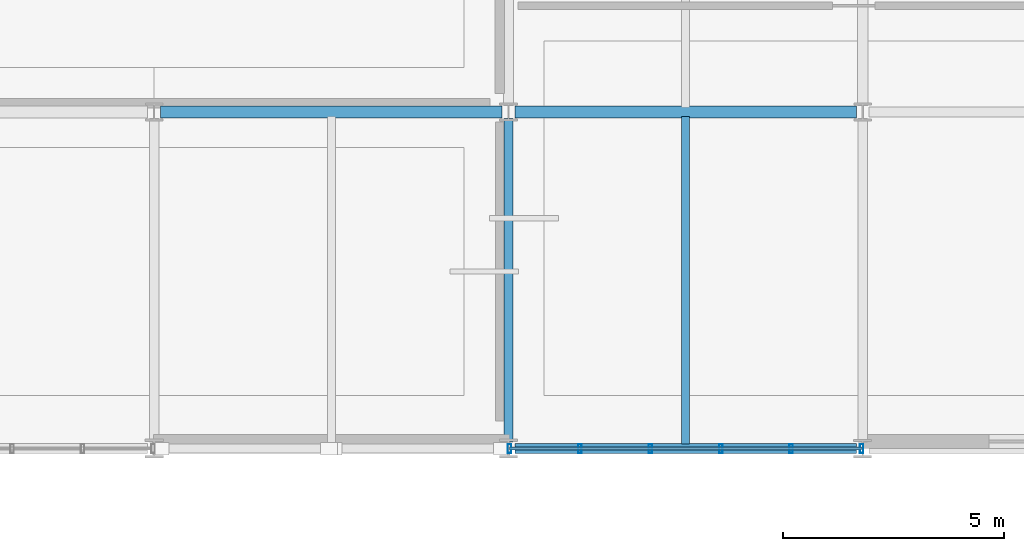
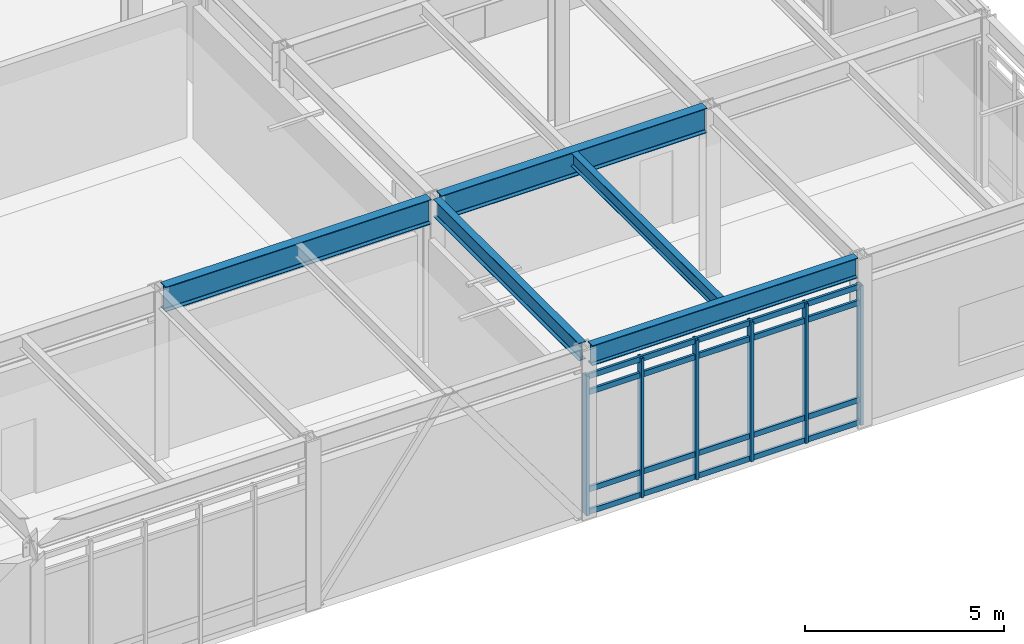
# One storey, part 53 of 94: 10 members, 5 beams, 1 element without a shape of its own.
"""IFC4 building model written with IfcOpenShell, lengths in metres."""

from ifc_helpers import new_model, si_unit, direction, frame, origin, origin_2d, place, context, subcontext, project, spatial, hollow_rectangle, i_section, extrude, material, material_profile, profile_set, type_object, element, aggregate, save


model = new_model("IFC4")

# Units and contexts
model_context = context("Model", 3, precision=1e-05, world=origin(), true_north=direction((0.0, 1.0)))
body_context = subcontext(model_context, "Body", "Model", "MODEL_VIEW")
ifc_project = project(units=[si_unit("LENGTHUNIT", "METRE"), si_unit("AREAUNIT", "SQUARE_METRE"), si_unit("VOLUMEUNIT", "CUBIC_METRE"), si_unit("PLANEANGLEUNIT", "RADIAN"), si_unit("MASSUNIT", "GRAM", prefix="KILO")], contexts=[model_context])

# Site, building, storey
site_placement = place(None, origin())
site = spatial("IfcSite", under=ifc_project, at=site_placement, CompositionType="ELEMENT")
building_placement = place(site_placement, origin())
building = spatial("IfcBuilding", under=site, at=building_placement, Name="Zulena Civic Courthouse", CompositionType="ELEMENT")
storey_placement = place(building_placement, frame((0.0, 0.0, 5.39990234375)))
storey = spatial("IfcBuildingStorey", under=building, at=storey_placement, Name="L01", CompositionType="ELEMENT", Elevation=5.39990234375)

# Curtain wall, members
ifc_material_1 = material(Name="Double-silver low-E laminated solar-control glass", Category="glass")
curtain_wall_type = type_object("IfcCurtainWallType", Name="CW_7952x4280", PredefinedType="USERDEFINED", material=ifc_material_1)
curtain_wall_placement = place(storey_placement, origin())
curtain_wall = element("IfcCurtainWall", 1, at=curtain_wall_placement, inside=storey, type_object=curtain_wall_type, Name="cw:V1:L01:3:1", ObjectType="UNITISED CURTAIN WALL", PredefinedType="USERDEFINED")
ifc_material_2 = material(Name="Bronze anodised thermally broken aluminium AA6063-T6", Category="aluminium")
ifc_material_profile_1 = material_profile(ifc_material_2, hollow_rectangle(XDim=0.080078125, YDim=0.199951171875, WallThickness=0.0048828125, at=origin_2d()), Name="CWM200X80X5")
ifc_profile_set_1 = profile_set([ifc_material_profile_1], Name="Bronze anodised thermally broken aluminium AA6063-T6")
member_type_1 = type_object("IfcMemberType", Name="CWMullion_200x80", PredefinedType="MULLION", material=ifc_profile_set_1)
member_1_placement = place(storey_placement, frame((163.97607421875, 0.0, 0.0), z_axis=(0.0, 0.0, 1.0), x_axis=(1.0, 0.0, 0.0)))
member_1 = element("IfcMember", 2, at=member_1_placement, type_object=member_type_1, Name="cw:V1:L01:3:1:mull:0", PredefinedType="MULLION", context=body_context, shape_type="SweptSolid", body=[
    extrude(hollow_rectangle(XDim=0.080078125, YDim=0.199951171875, WallThickness=0.0048828125, at=origin_2d()), origin(), (0.0, 0.0, 1.0), 4.280029296875),
])
member_2_placement = place(storey_placement, frame((162.385498046875, 0.0, 0.0), z_axis=(0.0, 0.0, 1.0), x_axis=(1.0, 0.0, 0.0)))
member_2 = element("IfcMember", 3, at=member_2_placement, type_object=member_type_1, Name="cw:V1:L01:3:1:mull:1", PredefinedType="MULLION", context=body_context, shape_type="SweptSolid", body=[
    extrude(hollow_rectangle(XDim=0.080078125, YDim=0.199951171875, WallThickness=0.0048828125, at=origin_2d()), origin(), (0.0, 0.0, 1.0), 4.280029296875),
])
member_3_placement = place(storey_placement, frame((160.795166015625, 0.0, 0.0), z_axis=(0.0, 0.0, 1.0), x_axis=(1.0, 0.0, 0.0)))
member_3 = element("IfcMember", 4, at=member_3_placement, type_object=member_type_1, Name="cw:V1:L01:3:1:mull:2", PredefinedType="MULLION", context=body_context, shape_type="SweptSolid", body=[
    extrude(hollow_rectangle(XDim=0.080078125, YDim=0.199951171875, WallThickness=0.0048828125, at=origin_2d()), origin(), (0.0, 0.0, 1.0), 4.280029296875),
])
member_4_placement = place(storey_placement, frame((159.204833984375, 0.0, 0.0), z_axis=(0.0, 0.0, 1.0), x_axis=(1.0, 0.0, 0.0)))
member_4 = element("IfcMember", 5, at=member_4_placement, type_object=member_type_1, Name="cw:V1:L01:3:1:mull:3", PredefinedType="MULLION", context=body_context, shape_type="SweptSolid", body=[
    extrude(hollow_rectangle(XDim=0.080078125, YDim=0.199951171875, WallThickness=0.0048828125, at=origin_2d()), origin(), (0.0, 0.0, 1.0), 4.280029296875),
])
member_5_placement = place(storey_placement, frame((157.614501953125, 0.0, 0.0), z_axis=(0.0, 0.0, 1.0), x_axis=(1.0, 0.0, 0.0)))
member_5 = element("IfcMember", 6, at=member_5_placement, type_object=member_type_1, Name="cw:V1:L01:3:1:mull:4", PredefinedType="MULLION", context=body_context, shape_type="SweptSolid", body=[
    extrude(hollow_rectangle(XDim=0.080078125, YDim=0.199951171875, WallThickness=0.0048828125, at=origin_2d()), origin(), (0.0, 0.0, 1.0), 4.280029296875),
])
member_6_placement = place(storey_placement, frame((156.02392578125, 0.0, 0.0), z_axis=(0.0, 0.0, 1.0), x_axis=(1.0, 0.0, 0.0)))
member_6 = element("IfcMember", 7, at=member_6_placement, type_object=member_type_1, Name="cw:V1:L01:3:1:mull:5", PredefinedType="MULLION", context=body_context, shape_type="SweptSolid", body=[
    extrude(hollow_rectangle(XDim=0.080078125, YDim=0.199951171875, WallThickness=0.0048828125, at=origin_2d()), origin(), (0.0, 0.0, 1.0), 4.280029296875),
])
ifc_material_profile_2 = material_profile(ifc_material_2, hollow_rectangle(XDim=0.070068359375, YDim=0.1650390625, WallThickness=0.00390625, at=origin_2d()), Name="CWT165X70X4")
ifc_profile_set_2 = profile_set([ifc_material_profile_2], Name="Bronze anodised thermally broken aluminium AA6063-T6")
member_type_2 = type_object("IfcMemberType", Name="CWTransom_165x70", PredefinedType="USERDEFINED", material=ifc_profile_set_2)
member_7_placement = place(storey_placement, frame((163.97607421875, 0.0, 0.06005859375), z_axis=(-1.0, 0.0, 0.0), x_axis=(0.0, -1.0, 0.0)))
member_7 = element("IfcMember", 8, at=member_7_placement, type_object=member_type_2, Name="cw:V1:L01:3:1:tran:0", ObjectType="TRANSOM", PredefinedType="USERDEFINED", context=body_context, shape_type="SweptSolid", body=[
    extrude(hollow_rectangle(XDim=0.070068359375, YDim=0.1650390625, WallThickness=0.00390625, at=origin_2d()), origin(), (0.0, 0.0, 1.0), 7.9521484375),
])
member_8_placement = place(storey_placement, frame((163.97607421875, 0.0, 0.75), z_axis=(-1.0, 0.0, 0.0), x_axis=(0.0, -1.0, 0.0)))
member_8 = element("IfcMember", 9, at=member_8_placement, type_object=member_type_2, Name="cw:V1:L01:3:1:tran:1", ObjectType="TRANSOM", PredefinedType="USERDEFINED", context=body_context, shape_type="SweptSolid", body=[
    extrude(hollow_rectangle(XDim=0.070068359375, YDim=0.1650390625, WallThickness=0.00390625, at=origin_2d()), origin(), (0.0, 0.0, 1.0), 7.9521484375),
])
member_9_placement = place(storey_placement, frame((163.97607421875, 0.0, 3.72998046875), z_axis=(-1.0, 0.0, 0.0), x_axis=(0.0, -1.0, 0.0)))
member_9 = element("IfcMember", 10, at=member_9_placement, type_object=member_type_2, Name="cw:V1:L01:3:1:tran:2", ObjectType="TRANSOM", PredefinedType="USERDEFINED", context=body_context, shape_type="SweptSolid", body=[
    extrude(hollow_rectangle(XDim=0.070068359375, YDim=0.1650390625, WallThickness=0.00390625, at=origin_2d()), origin(), (0.0, 0.0, 1.0), 7.9521484375),
])
member_10_placement = place(storey_placement, frame((163.97607421875, 0.0, 4.22021484375), z_axis=(-1.0, 0.0, 0.0), x_axis=(0.0, -1.0, 0.0)))
member_10 = element("IfcMember", 11, at=member_10_placement, type_object=member_type_2, Name="cw:V1:L01:3:1:tran:3", ObjectType="TRANSOM", PredefinedType="USERDEFINED", context=body_context, shape_type="SweptSolid", body=[
    extrude(hollow_rectangle(XDim=0.070068359375, YDim=0.1650390625, WallThickness=0.00390625, at=origin_2d()), origin(), (0.0, 0.0, 1.0), 7.9521484375),
])
aggregate(curtain_wall, [member_1, member_2, member_3, member_4, member_5, member_6, member_7, member_8, member_9, member_10])

# Beams
ifc_material_3 = material(Name="Steel ASTM A992 Grade 50", Category="steel")
ifc_material_profile_3 = material_profile(ifc_material_3, i_section(OverallWidth=0.26708984375, OverallDepth=0.761962890625, WebThickness=0.014404296875, FlangeThickness=0.021484375, FilletRadius=0.0166015625, at=origin_2d()), Name="W30X116")
ifc_profile_set_3 = profile_set([ifc_material_profile_3], Name="Steel ASTM A992 Grade 50")
beam_type_1 = type_object("IfcBeamType", Name="Girder_W30X116", PredefinedType="BEAM", material=ifc_profile_set_3)
for number, where, z_axis, x_axis, name in (
    (12, (148.14501953125, 7.60009765625, 4.80419921875), (1.0, 0.0, 0.0), (0.0, 1.0, 0.0), "beam:X:V1:L01:7.6:148.0_156.0"),
    (13, (156.14501953125, 7.60009765625, 4.80419921875), (1.0, 0.0, 0.0), (0.0, 1.0, 0.0), "beam:X:V1:L01:7.6:156.0_164.0"),
):
    element("IfcBeam", number, at=place(storey_placement, frame(where, z_axis=z_axis, x_axis=x_axis)), inside=storey, type_object=beam_type_1, Name=name, PredefinedType="BEAM", context=body_context, shape_type="SweptSolid", body=[
        extrude(i_section(OverallWidth=0.26708984375, OverallDepth=0.761962890625, WebThickness=0.014404296875, FlangeThickness=0.021484375, FilletRadius=0.0166015625, at=origin_2d()), origin(), (0.0, 0.0, 1.0), 7.7099609375),
    ])
ifc_material_profile_4 = material_profile(ifc_material_3, i_section(OverallWidth=0.180908203125, OverallDepth=0.4169921875, WebThickness=0.010986328125, FlangeThickness=0.018310546875, FilletRadius=0.01025390625, at=origin_2d()), Name="W16X57")
ifc_profile_set_4 = profile_set([ifc_material_profile_4], Name="Steel ASTM A992 Grade 50")
beam_type_2 = type_object("IfcBeamType", Name="Joist_W16X57", PredefinedType="JOIST", material=ifc_profile_set_4)
beam_1_placement = place(storey_placement, frame((160.0, 0.10498046875, 4.9765625), z_axis=(0.0, 1.0, 0.0), x_axis=(-1.0, 0.0, 0.0)))
element("IfcBeam", 14, at=beam_1_placement, inside=storey, type_object=beam_type_2, Name="joist:V1:L01:160.00:0.0_7.6", PredefinedType="JOIST", context=body_context, shape_type="SweptSolid", body=[
    extrude(i_section(OverallWidth=0.180908203125, OverallDepth=0.4169921875, WebThickness=0.010986328125, FlangeThickness=0.018310546875, FilletRadius=0.01025390625, at=origin_2d()), origin(), (0.0, 0.0, 1.0), 7.39013671875),
])
ifc_material_profile_5 = material_profile(ifc_material_3, i_section(OverallWidth=0.2099609375, OverallDepth=0.537109375, WebThickness=0.010986328125, FlangeThickness=0.017333984375, FilletRadius=0.0126953125, at=origin_2d()), Name="W21X68")
ifc_profile_set_5 = profile_set([ifc_material_profile_5], Name="Steel ASTM A992 Grade 50")
beam_type_3 = type_object("IfcBeamType", Name="Spandrel_W21X68", PredefinedType="SPANDREL", material=ifc_profile_set_5)
beam_2_placement = place(storey_placement, frame((156.0, 0.14501953125, 4.91650390625), z_axis=(0.0, 1.0, 0.0), x_axis=(-1.0, 0.0, 0.0)))
element("IfcBeam", 15, at=beam_2_placement, inside=storey, type_object=beam_type_3, Name="beam:Y:V1:L01:156.0:0.0_7.6", PredefinedType="SPANDREL", context=body_context, shape_type="SweptSolid", body=[
    extrude(i_section(OverallWidth=0.2099609375, OverallDepth=0.537109375, WebThickness=0.010986328125, FlangeThickness=0.017333984375, FilletRadius=0.0126953125, at=origin_2d()), origin(), (0.0, 0.0, 1.0), 7.31005859375),
])
ifc_material_profile_6 = material_profile(ifc_material_3, i_section(OverallWidth=0.22998046875, OverallDepth=0.616943359375, WebThickness=0.01318359375, FlangeThickness=0.022216796875, FilletRadius=0.0126953125, at=origin_2d()), Name="W24X94")
ifc_profile_set_6 = profile_set([ifc_material_profile_6], Name="Steel ASTM A992 Grade 50")
beam_type_4 = type_object("IfcBeamType", Name="Spandrel_W24X94", PredefinedType="SPANDREL", material=ifc_profile_set_6)
beam_3_placement = place(storey_placement, frame((156.14501953125, 0.0, 4.876708984375), z_axis=(1.0, 0.0, 0.0), x_axis=(0.0, 1.0, 0.0)))
element("IfcBeam", 16, at=beam_3_placement, inside=storey, type_object=beam_type_4, Name="beam:X:V1:L01:0.0:156.0_164.0", PredefinedType="SPANDREL", context=body_context, shape_type="SweptSolid", body=[
    extrude(i_section(OverallWidth=0.22998046875, OverallDepth=0.616943359375, WebThickness=0.01318359375, FlangeThickness=0.022216796875, FilletRadius=0.0126953125, at=origin_2d()), origin(), (0.0, 0.0, 1.0), 7.7099609375),
])

save(model, "model.ifc")
